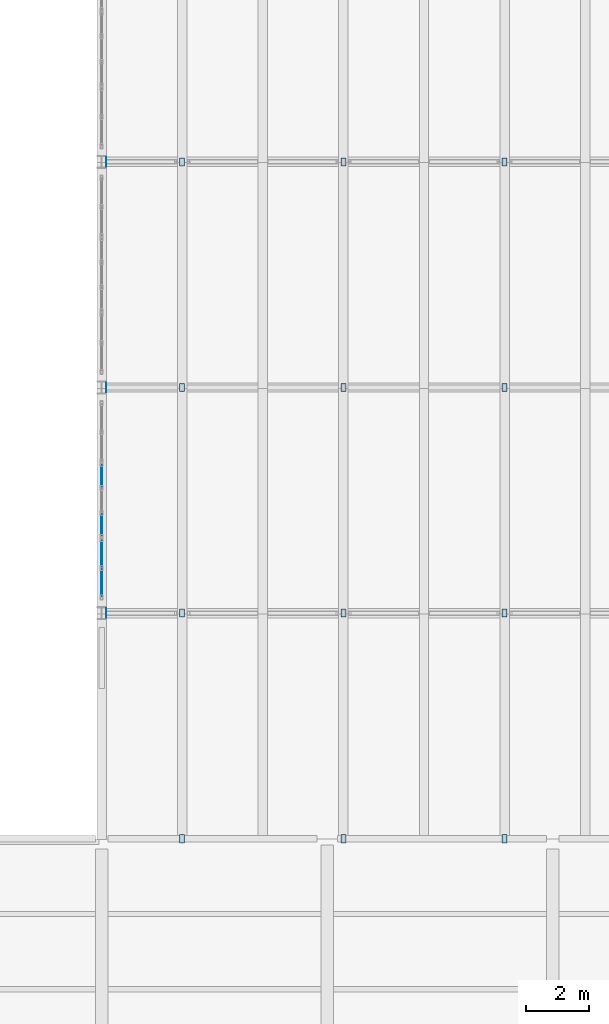
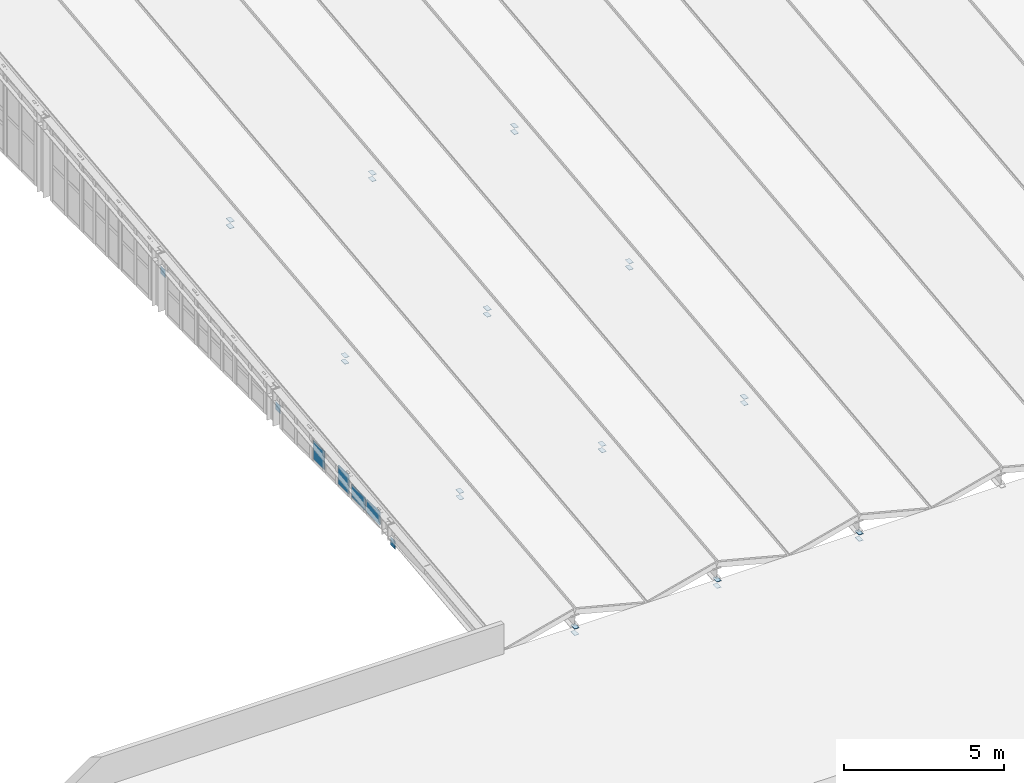
# One storey, part 34 of 48: 31 plates, 2 elements without a shape of their own.
"""IFC4 building model written with IfcOpenShell, lengths in metres."""

from ifc_helpers import new_model, si_unit, direction, frame, origin, origin_2d, place, context, subcontext, project, spatial, rectangle, extrude, material, layer, layer_set, type_object, element, aggregate, save


model = new_model("IFC4")

# Units and contexts
model_context = context("Model", 3, precision=1e-05, world=origin(), true_north=direction((0.0, 1.0)))
body_context = subcontext(model_context, "Body", "Model", "MODEL_VIEW")
ifc_project = project(units=[si_unit("LENGTHUNIT", "METRE"), si_unit("AREAUNIT", "SQUARE_METRE"), si_unit("VOLUMEUNIT", "CUBIC_METRE"), si_unit("PLANEANGLEUNIT", "RADIAN"), si_unit("MASSUNIT", "GRAM", prefix="KILO"), si_unit("THERMODYNAMICTEMPERATUREUNIT", "KELVIN"), si_unit("POWERUNIT", "WATT")], contexts=[model_context])

# Site, building, storey
site_placement = place(None, origin())
site = spatial("IfcSite", under=ifc_project, at=site_placement, CompositionType="ELEMENT")
building_placement = place(site_placement, origin())
building = spatial("IfcBuilding", under=site, at=building_placement, Name="Kaldorven Railside Theatre", CompositionType="ELEMENT")
storey_placement = place(building_placement, frame((0.0, 0.0, 18.89990234375)))
storey = spatial("IfcBuildingStorey", under=building, at=storey_placement, Name="L04", CompositionType="ELEMENT", Elevation=18.89990234375)

# Curtain wall, plates
ifc_material_1 = material(Name="Low-E laminated solar-control glass", Category="glass")
ifc_layer_1 = layer(ifc_material_1, 0.159912109375, Name="Low-E laminated solar-control glass")
ifc_layer_set_1 = layer_set([ifc_layer_1], Name="Low-E laminated solar-control glass")
curtain_wall_type_1 = type_object("IfcCurtainWallType", Name="CWT-26", PredefinedType="USERDEFINED", material=ifc_layer_set_1)
curtain_wall_1_placement = place(storey_placement, origin())
curtain_wall_1 = element("IfcCurtainWall", 1, at=curtain_wall_1_placement, inside=storey, type_object=curtain_wall_type_1, Name="Main Theatre West Eave Clerestory CWG-002", ObjectType="FLUTED GLAZING", PredefinedType="USERDEFINED")
ifc_layer_2 = layer(ifc_material_1, 0.028076171875, Name="Low-E laminated solar-control glass")
ifc_layer_set_2 = layer_set([ifc_layer_2], Name="Low-E laminated solar-control glass")
plate_type_1 = type_object("IfcPlateType", Name="CWP-GLZ28", PredefinedType="CURTAIN_PANEL", material=ifc_layer_set_2)
plate_1_placement = place(storey_placement, frame((87.199951171875, 48.96875, 0.080078125), z_axis=(0.0, 0.0, 1.0), x_axis=(0.0, 1.0, 0.0)))
plate_1 = element("IfcPlate", 2, at=plate_1_placement, type_object=plate_type_1, Name="CWG-002 panel 1.1", PredefinedType="CURTAIN_PANEL", context=body_context, shape_type="SweptSolid", body=[
    extrude(rectangle(XDim=0.847412109375, YDim=0.028076171875, at=origin_2d()), origin(), (0.0, 0.0, 1.0), 0.5),
])
plate_2_placement = place(storey_placement, frame((87.199951171875, 49.896240234375, 0.080078125), z_axis=(0.0, 0.0, 1.0), x_axis=(0.0, 1.0, 0.0)))
plate_2 = element("IfcPlate", 3, at=plate_2_placement, type_object=plate_type_1, Name="CWG-002 panel 2.1", PredefinedType="CURTAIN_PANEL", context=body_context, shape_type="SweptSolid", body=[
    extrude(rectangle(XDim=0.847412109375, YDim=0.028076171875, at=origin_2d()), origin(), (0.0, 0.0, 1.0), 0.5),
])
aggregate(curtain_wall_1, [plate_1, plate_2])

ifc_layer_3 = layer(ifc_material_1, 0.159912109375, Name="Low-E laminated solar-control glass")
ifc_layer_set_3 = layer_set([ifc_layer_3], Name="Low-E laminated solar-control glass")
curtain_wall_type_2 = type_object("IfcCurtainWallType", Name="CWT-27", PredefinedType="USERDEFINED", material=ifc_layer_set_3)
curtain_wall_2_placement = place(storey_placement, origin())
curtain_wall_2 = element("IfcCurtainWall", 4, at=curtain_wall_2_placement, inside=storey, type_object=curtain_wall_type_2, Name="Main Theatre West Eave Clerestory CWG-003", ObjectType="FLUTED GLAZING", PredefinedType="USERDEFINED")
plate_3_placement = place(storey_placement, frame((87.199951171875, 50.820068359375, 0.080078125), z_axis=(0.0, 0.0, 1.0), x_axis=(0.0, 1.0, 0.0)))
plate_3 = element("IfcPlate", 5, at=plate_3_placement, type_object=plate_type_1, Name="CWG-003 panel 1.1", PredefinedType="CURTAIN_PANEL", context=body_context, shape_type="SweptSolid", body=[
    extrude(rectangle(XDim=0.679931640625, YDim=0.028076171875, at=origin_2d()), origin(), (0.0, 0.0, 1.0), 0.719970703125),
])
plate_4_placement = place(storey_placement, frame((87.199951171875, 52.3798828125, 0.080078125), z_axis=(0.0, 0.0, 1.0), x_axis=(0.0, 1.0, 0.0)))
plate_4 = element("IfcPlate", 6, at=plate_4_placement, type_object=plate_type_1, Name="CWG-003 panel 3.1", PredefinedType="CURTAIN_PANEL", context=body_context, shape_type="SweptSolid", body=[
    extrude(rectangle(XDim=0.679931640625, YDim=0.028076171875, at=origin_2d()), origin(), (0.0, 0.0, 1.0), 0.719970703125),
])
aggregate(curtain_wall_2, [plate_3, plate_4])

# Plates
ifc_material_2 = material(Name="Steel S355", Category="steel")
ifc_layer_4 = layer(ifc_material_2, 0.011962890625, Name="Steel S355")
ifc_layer_set_4 = layer_set([ifc_layer_4], Name="Steel S355")
plate_type_2 = type_object("IfcPlateType", Name="PLT-CAP-12", PredefinedType="USERDEFINED", material=ifc_layer_set_4)
for number, where, z_axis, x_axis, name in (
    (7, (89.771484375, 40.800048828125, -0.25), (0.0, 0.0, 1.0), (1.0, 0.0, 0.0), "End cap gusset plate PL-0121"),
    (8, (89.771484375, 40.800048828125, -0.00048828125), (0.0, 0.0, 1.0), (1.0, 0.0, 0.0), "End cap gusset plate PL-0122"),
    (9, (94.914306640625, 40.800048828125, -0.25), (0.0, 0.0, 1.0), (1.0, 0.0, 0.0), "End cap gusset plate PL-0123"),
    (10, (94.914306640625, 40.800048828125, -0.00048828125), (0.0, 0.0, 1.0), (1.0, 0.0, 0.0), "End cap gusset plate PL-0124"),
    (11, (100.05712890625, 40.800048828125, -0.25), (0.0, 0.0, 1.0), (1.0, 0.0, 0.0), "End cap gusset plate PL-0125"),
    (12, (100.05712890625, 40.800048828125, -0.00048828125), (0.0, 0.0, 1.0), (1.0, 0.0, 0.0), "End cap gusset plate PL-0126"),
):
    element("IfcPlate", number, at=place(storey_placement, frame(where, z_axis=z_axis, x_axis=x_axis)), inside=storey, type_object=plate_type_2, Name=name, ObjectType="CAP PLATE", PredefinedType="USERDEFINED", context=body_context, shape_type="SweptSolid", body=[
        extrude(rectangle(XDim=0.159912109375, YDim=0.260009765625, at=origin_2d()), origin(), (0.0, 0.0, 1.0), 0.011962890625),
    ])
for number, where, z_axis, x_axis, name in (
    (13, (87.33984375, 48.0, -0.3212890625), (1.0, 0.0, 0.0), (0.0, 1.0, 0.0), "End cap gusset plate PL-0161"),
    (14, (87.33984375, 55.199951171875, 0.498779296875), (1.0, 0.0, 0.0), (0.0, 1.0, 0.0), "End cap gusset plate PL-0163"),
    (15, (87.33984375, 62.39990234375, 1.31884765625), (1.0, 0.0, 0.0), (0.0, 1.0, 0.0), "End cap gusset plate PL-0165"),
):
    element("IfcPlate", number, at=place(storey_placement, frame(where, z_axis=z_axis, x_axis=x_axis)), inside=storey, type_object=plate_type_2, Name=name, ObjectType="CAP PLATE", PredefinedType="USERDEFINED", context=body_context, shape_type="SweptSolid", body=[
        extrude(rectangle(XDim=0.300048828125, YDim=0.300048828125, at=origin_2d()), origin(), (0.0, 0.0, 1.0), 0.011962890625),
    ])
for number, where, z_axis, x_axis, name in (
    (16, (89.771484375, 48.0, 0.57373046875), (0.0, 0.0, 1.0), (1.0, 0.0, 0.0), "End cap gusset plate PL-0171"),
    (17, (89.771484375, 48.0, 0.8173828125), (0.0, 0.0, 1.0), (1.0, 0.0, 0.0), "End cap gusset plate PL-0172"),
    (18, (89.771484375, 55.199951171875, 1.39404296875), (0.0, 0.0, 1.0), (1.0, 0.0, 0.0), "End cap gusset plate PL-0173"),
    (19, (89.771484375, 55.199951171875, 1.63720703125), (0.0, 0.0, 1.0), (1.0, 0.0, 0.0), "End cap gusset plate PL-0174"),
    (20, (89.771484375, 62.39990234375, 2.2138671875), (0.0, 0.0, 1.0), (1.0, 0.0, 0.0), "End cap gusset plate PL-0175"),
    (21, (89.771484375, 62.39990234375, 2.45751953125), (0.0, 0.0, 1.0), (1.0, 0.0, 0.0), "End cap gusset plate PL-0176"),
    (22, (94.914306640625, 48.0, 0.57373046875), (0.0, 0.0, 1.0), (1.0, 0.0, 0.0), "End cap gusset plate PL-0181"),
    (23, (94.914306640625, 48.0, 0.8173828125), (0.0, 0.0, 1.0), (1.0, 0.0, 0.0), "End cap gusset plate PL-0182"),
    (24, (94.914306640625, 55.199951171875, 1.39404296875), (0.0, 0.0, 1.0), (1.0, 0.0, 0.0), "End cap gusset plate PL-0183"),
    (25, (94.914306640625, 55.199951171875, 1.63720703125), (0.0, 0.0, 1.0), (1.0, 0.0, 0.0), "End cap gusset plate PL-0184"),
    (26, (94.914306640625, 62.39990234375, 2.2138671875), (0.0, 0.0, 1.0), (1.0, 0.0, 0.0), "End cap gusset plate PL-0185"),
    (27, (94.914306640625, 62.39990234375, 2.45751953125), (0.0, 0.0, 1.0), (1.0, 0.0, 0.0), "End cap gusset plate PL-0186"),
    (28, (100.05712890625, 48.0, 0.57373046875), (0.0, 0.0, 1.0), (1.0, 0.0, 0.0), "End cap gusset plate PL-0191"),
    (29, (100.05712890625, 48.0, 0.8173828125), (0.0, 0.0, 1.0), (1.0, 0.0, 0.0), "End cap gusset plate PL-0192"),
    (30, (100.05712890625, 55.199951171875, 1.39404296875), (0.0, 0.0, 1.0), (1.0, 0.0, 0.0), "End cap gusset plate PL-0193"),
    (31, (100.05712890625, 55.199951171875, 1.63720703125), (0.0, 0.0, 1.0), (1.0, 0.0, 0.0), "End cap gusset plate PL-0194"),
    (32, (100.05712890625, 62.39990234375, 2.2138671875), (0.0, 0.0, 1.0), (1.0, 0.0, 0.0), "End cap gusset plate PL-0195"),
    (33, (100.05712890625, 62.39990234375, 2.45751953125), (0.0, 0.0, 1.0), (1.0, 0.0, 0.0), "End cap gusset plate PL-0196"),
):
    element("IfcPlate", number, at=place(storey_placement, frame(where, z_axis=z_axis, x_axis=x_axis)), inside=storey, type_object=plate_type_2, Name=name, ObjectType="CAP PLATE", PredefinedType="USERDEFINED", context=body_context, shape_type="SweptSolid", body=[
        extrude(rectangle(XDim=0.159912109375, YDim=0.260009765625, at=origin_2d()), origin(), (0.0, 0.0, 1.0), 0.011962890625),
    ])

save(model, "model.ifc")
